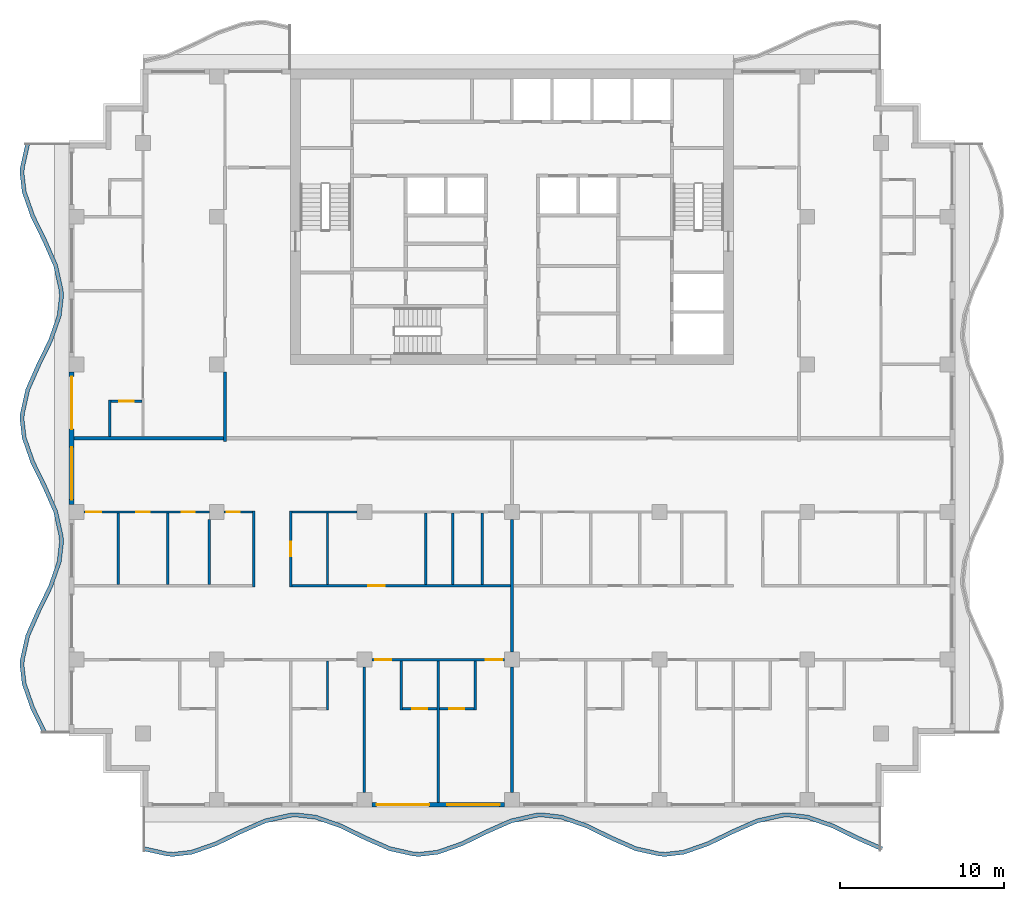
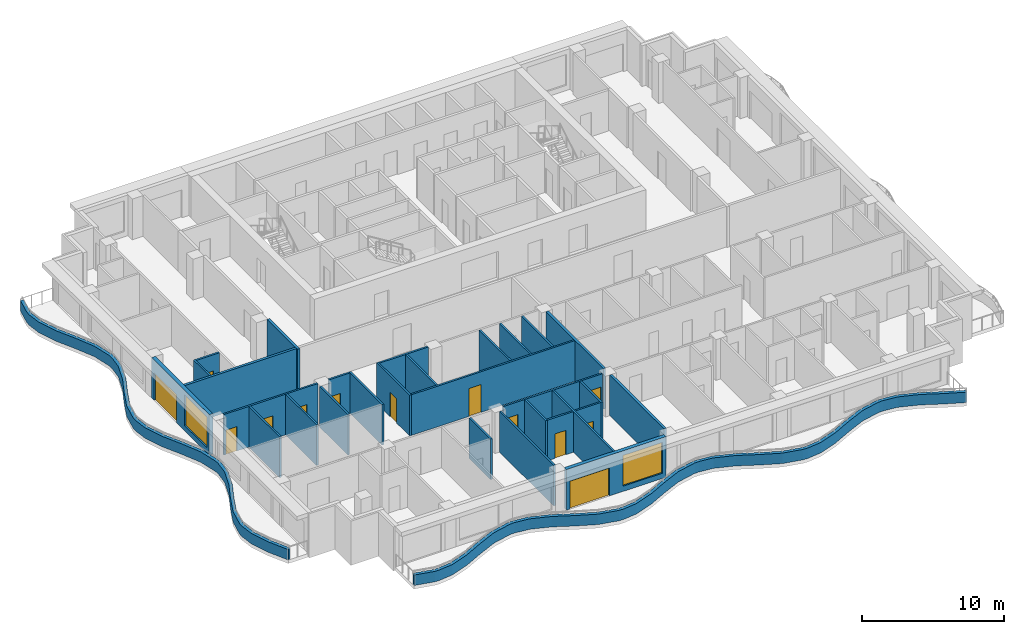
# One storey, part 2 of 11: 31 walls, 13 doors, 2 windows, 15 openings.
"""IFC4 building model written with IfcOpenShell, lengths in metres."""

from ifc_helpers import new_model, si_unit, direction, frame, frame_2d, origin, place, context, subcontext, project, spatial, polyline, rectangle, outline, extrude, material, layer, layer_set, type_object, element, fill, save


model = new_model("IFC4")

# Units and contexts
model_context = context("Model", 3, precision=1e-05, world=origin(), true_north=direction((0.0, 1.0)))
body_context = subcontext(model_context, "Body", "Model", "MODEL_VIEW")
ifc_project = project(units=[si_unit("LENGTHUNIT", "METRE"), si_unit("AREAUNIT", "SQUARE_METRE"), si_unit("VOLUMEUNIT", "CUBIC_METRE"), si_unit("PLANEANGLEUNIT", "RADIAN"), si_unit("MASSUNIT", "GRAM", prefix="KILO")], contexts=[model_context])

# Site, building, storey
site_placement = place(None, origin())
site = spatial("IfcSite", under=ifc_project, at=site_placement, CompositionType="ELEMENT")
building_placement = place(site_placement, origin())
building = spatial("IfcBuilding", under=site, at=building_placement, Name="Orbiselva Terraces", CompositionType="ELEMENT")
storey_placement = place(building_placement, frame((0.0, 0.0, 276.8)))
storey = spatial("IfcBuildingStorey", under=building, at=storey_placement, Name="L70", CompositionType="ELEMENT", Elevation=276.8)

# Walls
ifc_material_1 = material(Name="Concrete C40/50", Category="concrete")
ifc_layer_1 = layer(ifc_material_1, 0.25)
ifc_layer_set_1 = layer_set([ifc_layer_1], Name="Concrete C40/50")
wall_type_1 = type_object("IfcWallType", Name="ENV-PLANTER-250x900", PredefinedType="USERDEFINED", material=ifc_layer_set_1)
wall_1_placement = place(storey_placement, origin())
element("IfcWall", 1, at=wall_1_placement, inside=storey, type_object=wall_type_1, Name="Balcony planter L70 S", ObjectType="PLANTER", PredefinedType="USERDEFINED", context=body_context, shape_type="SweptSolid", body=[
    extrude(outline(polyline([(-22.5, -25.148528), (-21.0, -25.485226), (-20.625, -25.5), (-19.5, -25.369208), (-18.0, -24.844789), (-16.5, -24.112279), (-15.0, -23.451472), (-13.5, -23.114774), (-13.125, -23.1), (-12.0, -23.230792), (-10.5, -23.755211), (-9.0, -24.487721), (-7.5, -25.148528), (-6.0, -25.485226), (-5.625, -25.5), (-4.5, -25.369208), (-3.0, -24.844789), (-1.5, -24.112279), (0.0, -23.451472), (1.5, -23.114774), (1.875, -23.1), (3.0, -23.230792), (4.5, -23.755211), (6.0, -24.487721), (7.5, -25.148528), (9.0, -25.485226), (9.375, -25.5), (10.5, -25.369208), (12.0, -24.844789), (13.5, -24.112279), (15.0, -23.451472), (16.5, -23.114774), (16.875, -23.1), (18.0, -23.230792), (19.5, -23.755211), (21.0, -24.487721), (22.5, -25.148528), (22.600788, -24.919745), (21.105286, -24.260919), (19.59644, -23.524089), (18.056371, -22.985662), (16.884572, -22.849429), (16.467435, -22.865863), (14.921492, -23.212874), (13.394714, -23.885477), (11.90356, -24.613667), (10.443629, -25.124078), (9.365428, -25.249429), (9.032565, -25.236315), (7.578508, -24.90993), (6.105286, -24.260919), (4.59644, -23.524089), (3.056371, -22.985662), (1.884572, -22.849429), (1.467435, -22.865863), (-0.078508, -23.212874), (-1.605286, -23.885477), (-3.09644, -24.613667), (-4.556371, -25.124078), (-5.634572, -25.249429), (-5.967435, -25.236315), (-7.421492, -24.90993), (-8.894714, -24.260919), (-10.40356, -23.524089), (-11.943629, -22.985662), (-13.115428, -22.849429), (-13.532565, -22.865863), (-15.078508, -23.212874), (-16.605286, -23.885477), (-18.09644, -24.613667), (-19.556371, -25.124078), (-20.634572, -25.249429), (-20.967435, -25.236315), (-22.445246, -24.904598), (-22.5, -25.148528)])), origin(), (0.0, 0.0, 1.0), 0.9),
])
wall_2_placement = place(storey_placement, origin())
element("IfcWall", 2, at=wall_2_placement, inside=storey, type_object=wall_type_1, Name="Balcony planter L70 W", ObjectType="PLANTER", PredefinedType="USERDEFINED", context=body_context, shape_type="SweptSolid", body=[
    extrude(outline(polyline([(-29.648528, 18.0), (-29.985226, 16.5), (-30.0, 16.125), (-29.869208, 15.0), (-29.344789, 13.5), (-28.612279, 12.0), (-27.951472, 10.5), (-27.614774, 9.0), (-27.6, 8.625), (-27.730792, 7.5), (-28.255211, 6.0), (-28.987721, 4.5), (-29.648528, 3.0), (-29.985226, 1.5), (-30.0, 1.125), (-29.869208, 0.0), (-29.344789, -1.5), (-28.612279, -3.0), (-27.951472, -4.5), (-27.614774, -6.0), (-27.6, -6.375), (-27.730792, -7.5), (-28.255211, -9.0), (-28.987721, -10.5), (-29.648528, -12.0), (-29.985226, -13.5), (-30.0, -13.875), (-29.869208, -15.0), (-29.344789, -16.5), (-28.612279, -18.0), (-28.387634, -17.890297), (-29.113667, -16.40356), (-29.624078, -14.943629), (-29.749429, -13.865428), (-29.736315, -13.532565), (-29.40993, -12.078508), (-28.760919, -10.605286), (-28.024089, -9.09644), (-27.485662, -7.556371), (-27.349429, -6.384572), (-27.365863, -5.967435), (-27.712874, -4.421492), (-28.385477, -2.894714), (-29.113667, -1.40356), (-29.624078, 0.056371), (-29.749429, 1.134572), (-29.736315, 1.467435), (-29.40993, 2.921492), (-28.760919, 4.394714), (-28.024089, 5.90356), (-27.485662, 7.443629), (-27.349429, 8.615428), (-27.365863, 9.032565), (-27.712874, 10.578508), (-28.385477, 12.105286), (-29.113667, 13.59644), (-29.624078, 15.056371), (-29.749429, 16.134572), (-29.736315, 16.467435), (-29.404598, 17.945246), (-29.648528, 18.0)])), origin(), (0.0, 0.0, 1.0), 0.9),
])

# Wall, openings, door, window
ifc_material_2 = material(Name="Terracotta cladding on masonry backing", Category="masonry")
ifc_layer_2 = layer(ifc_material_2, 0.3)
ifc_layer_set_2 = layer_set([ifc_layer_2], Name="Terracotta cladding on masonry backing")
wall_type_2 = type_object("IfcWallType", Name="ENV-WALL-TERRACOTTA-300", PredefinedType="SOLIDWALL", material=ifc_layer_set_2)
wall_3_placement = place(storey_placement, frame((-0.45, -22.35, 0.0), z_axis=(0.0, 0.0, 1.0), x_axis=(-1.0, 0.0, 0.0)))
wall_3 = element("IfcWall", 3, at=wall_3_placement, inside=storey, type_object=wall_type_2, Name="Facade wall L70 S", PredefinedType="SOLIDWALL", context=body_context, shape_type="SweptSolid", body=[
    extrude(rectangle(XDim=8.1, YDim=0.3, at=frame_2d((4.05, 0.0))), origin(), (0.0, 0.0, 1.0), 3.5),
])
opening_1_placement = place(wall_3_placement, frame((4.6, 0.0, 0.0)))
opening_1 = element("IfcOpeningElement", 4, at=opening_1_placement, cuts=wall_3, Name="Opening Z5-D-E12", PredefinedType="OPENING", context=body_context, shape_type="SweptSolid", body=[
    extrude(rectangle(XDim=3.2, YDim=2.4, at=frame_2d((1.6, 1.2))), frame((0.0, 0.16, 0.0), z_axis=(0.0, -1.0, 0.0), x_axis=(1.0, 0.0, 0.0)), (0.0, 0.0, 1.0), 0.32),
])
opening_2_placement = place(wall_3_placement, frame((0.3, 0.0, 0.45)))
opening_2 = element("IfcOpeningElement", 5, at=opening_2_placement, cuts=wall_3, Name="Opening WN17", PredefinedType="OPENING", context=body_context, shape_type="SweptSolid", body=[
    extrude(rectangle(XDim=3.2, YDim=2.65, at=frame_2d((1.6, 1.325))), frame((0.0, 0.16, 0.0), z_axis=(0.0, -1.0, 0.0), x_axis=(1.0, 0.0, 0.0)), (0.0, 0.0, 1.0), 0.32),
])
ifc_material_3 = material(Name="Clear low-e glazing in aluminium frame", Category="aluminium")
door_type_1 = type_object("IfcDoorType", Name="BALCONY DOOR 3200 X 2400", OperationType="DOUBLE_DOOR_SLIDING", PredefinedType="DOOR", material=ifc_material_3)
door_1_placement = place(opening_1_placement, origin())
door_1 = element("IfcDoor", 6, at=door_1_placement, inside=storey, type_object=door_type_1, Name="Z5-D-E12", OperationType="SINGLE_SWING_LEFT", OverallHeight=2.4, OverallWidth=3.2, PredefinedType="DOOR", context=body_context, shape_type="SweptSolid", body=[
    extrude(rectangle(XDim=3.2, YDim=2.4, at=frame_2d((1.6, 1.2))), frame((0.0, 0.025, 0.0), z_axis=(0.0, -1.0, 0.0), x_axis=(1.0, 0.0, 0.0)), (0.0, 0.0, 1.0), 0.05),
])
fill(opening_1, door_1)
window_type = type_object("IfcWindowType", Name="WINDOW 3200 X 2650 S450", PartitioningType="TRIPLE_PANEL_VERTICAL", PredefinedType="WINDOW", material=ifc_material_3)
window_1_placement = place(opening_2_placement, origin())
window_1 = element("IfcWindow", 7, at=window_1_placement, inside=storey, type_object=window_type, Name="Window L70 S", OverallHeight=2.65, OverallWidth=3.2, PartitioningType="SINGLE_PANEL", PredefinedType="WINDOW", context=body_context, shape_type="SweptSolid", body=[
    extrude(rectangle(XDim=3.2, YDim=2.65, at=frame_2d((1.6, 1.325))), frame((0.0, 0.03, 0.0), z_axis=(0.0, -1.0, 0.0), x_axis=(1.0, 0.0, 0.0)), (0.0, 0.0, 1.0), 0.06),
])
fill(opening_2, window_1)

wall_4_placement = place(storey_placement, frame((-26.85, -4.05, 0.0), z_axis=(0.0, 0.0, 1.0), x_axis=(0.0, 1.0, 0.0)))
wall_4 = element("IfcWall", 8, at=wall_4_placement, inside=storey, type_object=wall_type_2, Name="Facade wall L70 W", PredefinedType="SOLIDWALL", context=body_context, shape_type="SweptSolid", body=[
    extrude(rectangle(XDim=8.1, YDim=0.3, at=frame_2d((4.05, 0.0))), origin(), (0.0, 0.0, 1.0), 3.5),
])
opening_3_placement = place(wall_4_placement, frame((4.6, 0.0, 0.0)))
opening_3 = element("IfcOpeningElement", 9, at=opening_3_placement, cuts=wall_4, Name="Opening Z5-D-E16", PredefinedType="OPENING", context=body_context, shape_type="SweptSolid", body=[
    extrude(rectangle(XDim=3.2, YDim=2.4, at=frame_2d((1.6, 1.2))), frame((0.0, 0.16, 0.0), z_axis=(0.0, -1.0, 0.0), x_axis=(1.0, 0.0, 0.0)), (0.0, 0.0, 1.0), 0.32),
])
opening_4_placement = place(wall_4_placement, frame((0.3, 0.0, 0.45)))
opening_4 = element("IfcOpeningElement", 10, at=opening_4_placement, cuts=wall_4, Name="Opening WN17", PredefinedType="OPENING", context=body_context, shape_type="SweptSolid", body=[
    extrude(rectangle(XDim=3.2, YDim=2.65, at=frame_2d((1.6, 1.325))), frame((0.0, 0.16, 0.0), z_axis=(0.0, -1.0, 0.0), x_axis=(1.0, 0.0, 0.0)), (0.0, 0.0, 1.0), 0.32),
])
door_2_placement = place(opening_3_placement, origin())
door_2 = element("IfcDoor", 11, at=door_2_placement, inside=storey, type_object=door_type_1, Name="Z5-D-E16", OperationType="SINGLE_SWING_LEFT", OverallHeight=2.4, OverallWidth=3.2, PredefinedType="DOOR", context=body_context, shape_type="SweptSolid", body=[
    extrude(rectangle(XDim=3.2, YDim=2.4, at=frame_2d((1.6, 1.2))), frame((0.0, 0.025, 0.0), z_axis=(0.0, -1.0, 0.0), x_axis=(1.0, 0.0, 0.0)), (0.0, 0.0, 1.0), 0.05),
])
fill(opening_3, door_2)
window_2_placement = place(opening_4_placement, origin())
window_2 = element("IfcWindow", 12, at=window_2_placement, inside=storey, type_object=window_type, Name="Window L70 W", OverallHeight=2.65, OverallWidth=3.2, PartitioningType="SINGLE_PANEL", PredefinedType="WINDOW", context=body_context, shape_type="SweptSolid", body=[
    extrude(rectangle(XDim=3.2, YDim=2.65, at=frame_2d((1.6, 1.325))), frame((0.0, 0.03, 0.0), z_axis=(0.0, -1.0, 0.0), x_axis=(1.0, 0.0, 0.0)), (0.0, 0.0, 1.0), 0.06),
])
fill(opening_4, window_2)

# Wall
ifc_material_4 = material(Name="Plasterboard on steel stud partition", Category="steel")
ifc_layer_3 = layer(ifc_material_4, 0.2)
ifc_layer_set_3 = layer_set([ifc_layer_3], Name="Plasterboard on steel stud partition")
wall_type_3 = type_object("IfcWallType", Name="UNIT-ENTRANCE-WALL-200", PredefinedType="PARTITIONING", material=ifc_layer_set_3)
wall_5_placement = place(storey_placement, frame((-17.5, -0.2, 0.0), z_axis=(0.0, 0.0, 1.0), x_axis=(0.0, 1.0, 0.0)))
element("IfcWall", 13, at=wall_5_placement, inside=storey, type_object=wall_type_3, Name="PARTITION L70-050", PredefinedType="PARTITIONING", context=body_context, shape_type="SweptSolid", body=[
    extrude(rectangle(XDim=4.25, YDim=0.2, at=frame_2d((2.125, 0.0))), origin(), (0.0, 0.0, 1.0), 3.5),
])

# Wall, opening, door
ifc_layer_4 = layer(ifc_material_4, 0.15)
ifc_layer_set_4 = layer_set([ifc_layer_4], Name="Plasterboard on steel stud partition")
wall_type_4 = type_object("IfcWallType", Name="UNIT-PARTITION-150", PredefinedType="PARTITIONING", material=ifc_layer_set_4)
wall_6_placement = place(storey_placement, frame((-6.675, -16.5, 0.0), z_axis=(0.0, 0.0, 1.0), x_axis=(1.0, 0.0, 0.0)))
wall_6 = element("IfcWall", 14, at=wall_6_placement, inside=storey, type_object=wall_type_4, Name="PARTITION L70-003", PredefinedType="PARTITIONING", context=body_context, shape_type="SweptSolid", body=[
    extrude(rectangle(XDim=2.1, YDim=0.15, at=frame_2d((1.05, 0.0))), origin(), (0.0, 0.0, 1.0), 3.5),
])
opening_5_placement = place(wall_6_placement, frame((0.6, 0.0, 0.0)))
opening_5 = element("IfcOpeningElement", 15, at=opening_5_placement, cuts=wall_6, Name="Opening Z5-D-28", PredefinedType="OPENING", context=body_context, shape_type="SweptSolid", body=[
    extrude(rectangle(XDim=0.9, YDim=2.1, at=frame_2d((0.45, 1.05))), frame((0.0, 0.085, 0.0), z_axis=(0.0, -1.0, 0.0), x_axis=(1.0, 0.0, 0.0)), (0.0, 0.0, 1.0), 0.17),
])
ifc_material_5 = material(Name="Painted timber door leaf", Category="wood")
door_type_2 = type_object("IfcDoorType", Name="BATH DOOR 900", OperationType="NOTDEFINED", PredefinedType="DOOR", material=ifc_material_5)
door_3_placement = place(opening_5_placement, origin())
door_3 = element("IfcDoor", 16, at=door_3_placement, inside=storey, type_object=door_type_2, Name="Z5-D-28", OperationType="SINGLE_SWING_LEFT", OverallHeight=2.1, OverallWidth=0.9, PredefinedType="DOOR", context=body_context, shape_type="SweptSolid", body=[
    extrude(rectangle(XDim=0.9, YDim=2.1, at=frame_2d((0.45, 1.05))), frame((0.0, 0.025, 0.0), z_axis=(0.0, -1.0, 0.0), x_axis=(1.0, 0.0, 0.0)), (0.0, 0.0, 1.0), 0.05),
])
fill(opening_5, door_3)

wall_7_placement = place(storey_placement, frame((-4.425, -16.5, 0.0), z_axis=(0.0, 0.0, 1.0), x_axis=(1.0, 0.0, 0.0)))
wall_7 = element("IfcWall", 17, at=wall_7_placement, inside=storey, type_object=wall_type_4, Name="PARTITION L70-004", PredefinedType="PARTITIONING", context=body_context, shape_type="SweptSolid", body=[
    extrude(rectangle(XDim=2.1, YDim=0.15, at=frame_2d((1.05, 0.0))), origin(), (0.0, 0.0, 1.0), 3.5),
])
opening_6_placement = place(wall_7_placement, frame((0.6, 0.0, 0.0)))
opening_6 = element("IfcOpeningElement", 18, at=opening_6_placement, cuts=wall_7, Name="Opening Z5-D-26", PredefinedType="OPENING", context=body_context, shape_type="SweptSolid", body=[
    extrude(rectangle(XDim=0.9, YDim=2.1, at=frame_2d((0.45, 1.05))), frame((0.0, 0.085, 0.0), z_axis=(0.0, -1.0, 0.0), x_axis=(1.0, 0.0, 0.0)), (0.0, 0.0, 1.0), 0.17),
])
door_4_placement = place(opening_6_placement, origin())
door_4 = element("IfcDoor", 19, at=door_4_placement, inside=storey, type_object=door_type_2, Name="Z5-D-26", OperationType="SINGLE_SWING_RIGHT", OverallHeight=2.1, OverallWidth=0.9, PredefinedType="DOOR", context=body_context, shape_type="SweptSolid", body=[
    extrude(rectangle(XDim=0.9, YDim=2.1, at=frame_2d((0.45, 1.05))), frame((0.0, 0.025, 0.0), z_axis=(0.0, -1.0, 0.0), x_axis=(1.0, 0.0, 0.0)), (0.0, 0.0, 1.0), 0.05),
])
fill(opening_6, door_4)

# Wall, openings, doors
wall_8_placement = place(storey_placement, frame((-0.45, -13.5, 0.0), z_axis=(0.0, 0.0, 1.0), x_axis=(-1.0, 0.0, 0.0)))
wall_8 = element("IfcWall", 20, at=wall_8_placement, inside=storey, type_object=wall_type_4, Name="PARTITION L70-011", PredefinedType="PARTITIONING", context=body_context, shape_type="SweptSolid", body=[
    extrude(rectangle(XDim=8.1, YDim=0.15, at=frame_2d((4.05, 0.0))), origin(), (0.0, 0.0, 1.0), 3.5),
])
opening_7_placement = place(wall_8_placement, frame((0.15, 0.0, 0.0)))
opening_7 = element("IfcOpeningElement", 21, at=opening_7_placement, cuts=wall_8, Name="Opening Z5-D-25", PredefinedType="OPENING", context=body_context, shape_type="SweptSolid", body=[
    extrude(rectangle(XDim=1.0, YDim=2.4, at=frame_2d((0.5, 1.2))), frame((0.0, 0.085, 0.0), z_axis=(0.0, -1.0, 0.0), x_axis=(1.0, 0.0, 0.0)), (0.0, 0.0, 1.0), 0.17),
])
opening_8_placement = place(wall_8_placement, frame((6.9, 0.0, 0.0)))
opening_8 = element("IfcOpeningElement", 22, at=opening_8_placement, cuts=wall_8, Name="Opening Z5-D-27", PredefinedType="OPENING", context=body_context, shape_type="SweptSolid", body=[
    extrude(rectangle(XDim=1.0, YDim=2.4, at=frame_2d((0.5, 1.2))), frame((0.0, 0.085, 0.0), z_axis=(0.0, -1.0, 0.0), x_axis=(1.0, 0.0, 0.0)), (0.0, 0.0, 1.0), 0.17),
])
door_type_3 = type_object("IfcDoorType", Name="ROOM DOOR 1000", OperationType="NOTDEFINED", PredefinedType="DOOR", material=ifc_material_5)
door_5_placement = place(opening_7_placement, origin())
door_5 = element("IfcDoor", 23, at=door_5_placement, inside=storey, type_object=door_type_3, Name="Z5-D-25", OperationType="SINGLE_SWING_LEFT", OverallHeight=2.4, OverallWidth=1.0, PredefinedType="DOOR", context=body_context, shape_type="SweptSolid", body=[
    extrude(rectangle(XDim=1.0, YDim=2.4, at=frame_2d((0.5, 1.2))), frame((0.0, 0.025, 0.0), z_axis=(0.0, -1.0, 0.0), x_axis=(1.0, 0.0, 0.0)), (0.0, 0.0, 1.0), 0.05),
])
fill(opening_7, door_5)
door_6_placement = place(opening_8_placement, origin())
door_6 = element("IfcDoor", 24, at=door_6_placement, inside=storey, type_object=door_type_3, Name="Z5-D-27", OperationType="SINGLE_SWING_RIGHT", OverallHeight=2.4, OverallWidth=1.0, PredefinedType="DOOR", context=body_context, shape_type="SweptSolid", body=[
    extrude(rectangle(XDim=1.0, YDim=2.4, at=frame_2d((0.5, 1.2))), frame((0.0, 0.025, 0.0), z_axis=(0.0, -1.0, 0.0), x_axis=(1.0, 0.0, 0.0)), (0.0, 0.0, 1.0), 0.05),
])
fill(opening_8, door_6)

# Wall, opening, door
wall_9_placement = place(storey_placement, frame((-13.425, -9.0, 0.0), z_axis=(0.0, 0.0, 1.0), x_axis=(1.0, 0.0, 0.0)))
wall_9 = element("IfcWall", 25, at=wall_9_placement, inside=storey, type_object=wall_type_4, Name="PARTITION L70-016", PredefinedType="PARTITIONING", context=body_context, shape_type="SweptSolid", body=[
    extrude(rectangle(XDim=13.325, YDim=0.15, at=frame_2d((6.6625, 0.0))), origin(), (0.0, 0.0, 1.0), 3.5),
])
opening_9_placement = place(wall_9_placement, frame((4.675, 0.0, 0.0)))
opening_9 = element("IfcOpeningElement", 26, at=opening_9_placement, cuts=wall_9, Name="Opening Z5-D-19", PredefinedType="OPENING", context=body_context, shape_type="SweptSolid", body=[
    extrude(rectangle(XDim=1.0, YDim=2.4, at=frame_2d((0.5, 1.2))), frame((0.0, 0.085, 0.0), z_axis=(0.0, -1.0, 0.0), x_axis=(1.0, 0.0, 0.0)), (0.0, 0.0, 1.0), 0.17),
])
door_7_placement = place(opening_9_placement, origin())
door_7 = element("IfcDoor", 27, at=door_7_placement, inside=storey, type_object=door_type_3, Name="Z5-D-19", OperationType="SINGLE_SWING_LEFT", OverallHeight=2.4, OverallWidth=1.0, PredefinedType="DOOR", context=body_context, shape_type="SweptSolid", body=[
    extrude(rectangle(XDim=1.0, YDim=2.4, at=frame_2d((0.5, 1.2))), frame((0.0, 0.025, 0.0), z_axis=(0.0, -1.0, 0.0), x_axis=(1.0, 0.0, 0.0)), (0.0, 0.0, 1.0), 0.05),
])
fill(opening_9, door_7)

# Wall, openings, doors
wall_10_placement = place(storey_placement, frame((-18.45, -4.5, 0.0), z_axis=(0.0, 0.0, 1.0), x_axis=(-1.0, 0.0, 0.0)))
wall_10 = element("IfcWall", 28, at=wall_10_placement, inside=storey, type_object=wall_type_4, Name="PARTITION L70-019", PredefinedType="PARTITIONING", context=body_context, shape_type="SweptSolid", body=[
    extrude(rectangle(XDim=7.65, YDim=0.15, at=frame_2d((3.825, 0.0))), origin(), (0.0, 0.0, 1.0), 3.5),
])
opening_10_placement = place(wall_10_placement, frame((0.9, 0.0, 0.0)))
opening_10 = element("IfcOpeningElement", 29, at=opening_10_placement, cuts=wall_10, Name="Opening Z5-D-22", PredefinedType="OPENING", context=body_context, shape_type="SweptSolid", body=[
    extrude(rectangle(XDim=0.8, YDim=2.0, at=frame_2d((0.4, 1.0))), frame((0.0, 0.085, 0.0), z_axis=(0.0, -1.0, 0.0), x_axis=(1.0, 0.0, 0.0)), (0.0, 0.0, 1.0), 0.17),
])
opening_11_placement = place(wall_10_placement, frame((3.65, 0.0, 0.0)))
opening_11 = element("IfcOpeningElement", 30, at=opening_11_placement, cuts=wall_10, Name="Opening Z5-D-23", PredefinedType="OPENING", context=body_context, shape_type="SweptSolid", body=[
    extrude(rectangle(XDim=0.8, YDim=2.0, at=frame_2d((0.4, 1.0))), frame((0.0, 0.085, 0.0), z_axis=(0.0, -1.0, 0.0), x_axis=(1.0, 0.0, 0.0)), (0.0, 0.0, 1.0), 0.17),
])
opening_12_placement = place(wall_10_placement, frame((6.6, 0.0, 0.0)))
opening_12 = element("IfcOpeningElement", 31, at=opening_12_placement, cuts=wall_10, Name="Opening Z5-D-24", PredefinedType="OPENING", context=body_context, shape_type="SweptSolid", body=[
    extrude(rectangle(XDim=0.9, YDim=2.1, at=frame_2d((0.45, 1.05))), frame((0.0, 0.085, 0.0), z_axis=(0.0, -1.0, 0.0), x_axis=(1.0, 0.0, 0.0)), (0.0, 0.0, 1.0), 0.17),
])
door_type_4 = type_object("IfcDoorType", Name="SERVICE DOOR 900", OperationType="NOTDEFINED", PredefinedType="DOOR", material=ifc_material_5)
door_8_placement = place(opening_12_placement, origin())
door_8 = element("IfcDoor", 32, at=door_8_placement, inside=storey, type_object=door_type_4, Name="Z5-D-24", OperationType="SINGLE_SWING_RIGHT", OverallHeight=2.1, OverallWidth=0.9, PredefinedType="DOOR", context=body_context, shape_type="SweptSolid", body=[
    extrude(rectangle(XDim=0.9, YDim=2.1, at=frame_2d((0.45, 1.05))), frame((0.0, 0.025, 0.0), z_axis=(0.0, -1.0, 0.0), x_axis=(1.0, 0.0, 0.0)), (0.0, 0.0, 1.0), 0.05),
])
fill(opening_12, door_8)
door_type_5 = type_object("IfcDoorType", Name="STORE DOOR 800", OperationType="NOTDEFINED", PredefinedType="DOOR", material=ifc_material_5)
door_9_placement = place(opening_10_placement, origin())
door_9 = element("IfcDoor", 33, at=door_9_placement, inside=storey, type_object=door_type_5, Name="Z5-D-22", OperationType="SINGLE_SWING_LEFT", OverallHeight=2.0, OverallWidth=0.8, PredefinedType="DOOR", context=body_context, shape_type="SweptSolid", body=[
    extrude(rectangle(XDim=0.8, YDim=2.0, at=frame_2d((0.4, 1.0))), frame((0.0, 0.025, 0.0), z_axis=(0.0, -1.0, 0.0), x_axis=(1.0, 0.0, 0.0)), (0.0, 0.0, 1.0), 0.05),
])
fill(opening_10, door_9)
door_10_placement = place(opening_11_placement, origin())
door_10 = element("IfcDoor", 34, at=door_10_placement, inside=storey, type_object=door_type_5, Name="Z5-D-23", OperationType="SINGLE_SWING_RIGHT", OverallHeight=2.0, OverallWidth=0.8, PredefinedType="DOOR", context=body_context, shape_type="SweptSolid", body=[
    extrude(rectangle(XDim=0.8, YDim=2.0, at=frame_2d((0.4, 1.0))), frame((0.0, 0.025, 0.0), z_axis=(0.0, -1.0, 0.0), x_axis=(1.0, 0.0, 0.0)), (0.0, 0.0, 1.0), 0.05),
])
fill(opening_11, door_10)

# Wall, opening, door
wall_11_placement = place(storey_placement, frame((-15.825, -4.5, 0.0), z_axis=(0.0, 0.0, 1.0), x_axis=(-1.0, 0.0, 0.0)))
wall_11 = element("IfcWall", 35, at=wall_11_placement, inside=storey, type_object=wall_type_4, Name="PARTITION L70-020", PredefinedType="PARTITIONING", context=body_context, shape_type="SweptSolid", body=[
    extrude(rectangle(XDim=1.725, YDim=0.15, at=frame_2d((0.8625, 0.0))), origin(), (0.0, 0.0, 1.0), 3.5),
])
opening_13_placement = place(wall_11_placement, frame((0.775, 0.0, 0.0)))
opening_13 = element("IfcOpeningElement", 36, at=opening_13_placement, cuts=wall_11, Name="Opening Z5-D-21", PredefinedType="OPENING", context=body_context, shape_type="SweptSolid", body=[
    extrude(rectangle(XDim=0.8, YDim=2.0, at=frame_2d((0.4, 1.0))), frame((0.0, 0.085, 0.0), z_axis=(0.0, -1.0, 0.0), x_axis=(1.0, 0.0, 0.0)), (0.0, 0.0, 1.0), 0.17),
])
door_11_placement = place(opening_13_placement, origin())
door_11 = element("IfcDoor", 37, at=door_11_placement, inside=storey, type_object=door_type_5, Name="Z5-D-21", OperationType="SINGLE_SWING_RIGHT", OverallHeight=2.0, OverallWidth=0.8, PredefinedType="DOOR", context=body_context, shape_type="SweptSolid", body=[
    extrude(rectangle(XDim=0.8, YDim=2.0, at=frame_2d((0.4, 1.0))), frame((0.0, 0.025, 0.0), z_axis=(0.0, -1.0, 0.0), x_axis=(1.0, 0.0, 0.0)), (0.0, 0.0, 1.0), 0.05),
])
fill(opening_13, door_11)

# Wall
wall_12_placement = place(storey_placement, frame((-13.425, -4.5, 0.0), z_axis=(0.0, 0.0, 1.0), x_axis=(1.0, 0.0, 0.0)))
element("IfcWall", 38, at=wall_12_placement, inside=storey, type_object=wall_type_4, Name="PARTITION L70-021", PredefinedType="PARTITIONING", context=body_context, shape_type="SweptSolid", body=[
    extrude(rectangle(XDim=3.975, YDim=0.15, at=frame_2d((1.9875, 0.0))), origin(), (0.0, 0.0, 1.0), 3.5),
])

# Wall, opening, door
wall_13_placement = place(storey_placement, frame((-22.575, 2.25, 0.0), z_axis=(0.0, 0.0, 1.0), x_axis=(-1.0, 0.0, 0.0)))
wall_13 = element("IfcWall", 39, at=wall_13_placement, inside=storey, type_object=wall_type_4, Name="PARTITION L70-030", PredefinedType="PARTITIONING", context=body_context, shape_type="SweptSolid", body=[
    extrude(rectangle(XDim=1.875, YDim=0.15, at=frame_2d((0.9375, 0.0))), origin(), (0.0, 0.0, 1.0), 3.5),
])
opening_14_placement = place(wall_13_placement, frame((0.475, 0.0, 0.0)))
opening_14 = element("IfcOpeningElement", 40, at=opening_14_placement, cuts=wall_13, Name="Opening Z5-D-05", PredefinedType="OPENING", context=body_context, shape_type="SweptSolid", body=[
    extrude(rectangle(XDim=0.9, YDim=2.1, at=frame_2d((0.45, 1.05))), frame((0.0, 0.085, 0.0), z_axis=(0.0, -1.0, 0.0), x_axis=(1.0, 0.0, 0.0)), (0.0, 0.0, 1.0), 0.17),
])
door_12_placement = place(opening_14_placement, origin())
door_12 = element("IfcDoor", 41, at=door_12_placement, inside=storey, type_object=door_type_2, Name="Z5-D-05", OperationType="SINGLE_SWING_LEFT", OverallHeight=2.1, OverallWidth=0.9, PredefinedType="DOOR", context=body_context, shape_type="SweptSolid", body=[
    extrude(rectangle(XDim=0.9, YDim=2.1, at=frame_2d((0.45, 1.05))), frame((0.0, 0.025, 0.0), z_axis=(0.0, -1.0, 0.0), x_axis=(1.0, 0.0, 0.0)), (0.0, 0.0, 1.0), 0.05),
])
fill(opening_14, door_12)

# Walls
wall_14_placement = place(storey_placement, frame((-24.525, 0.1, 0.0), z_axis=(0.0, 0.0, 1.0), x_axis=(0.0, 1.0, 0.0)))
element("IfcWall", 42, at=wall_14_placement, inside=storey, type_object=wall_type_4, Name="PARTITION L70-041", PredefinedType="PARTITIONING", context=body_context, shape_type="SweptSolid", body=[
    extrude(rectangle(XDim=2.225, YDim=0.15, at=frame_2d((1.1125, 0.0))), origin(), (0.0, 0.0, 1.0), 3.5),
])
for number, where, z_axis, x_axis, name in (
    (43, (-24.0, -8.925, 0.0), (0.0, 0.0, 1.0), (0.0, 1.0, 0.0), "PARTITION L70-043"),
    (44, (-21.0, -8.925, 0.0), (0.0, 0.0, 1.0), (0.0, 1.0, 0.0), "PARTITION L70-046"),
):
    element("IfcWall", number, at=place(storey_placement, frame(where, z_axis=z_axis, x_axis=x_axis)), inside=storey, type_object=wall_type_4, Name=name, PredefinedType="PARTITIONING", context=body_context, shape_type="SweptSolid", body=[
        extrude(rectangle(XDim=4.35, YDim=0.15, at=frame_2d((2.175, 0.0))), origin(), (0.0, 0.0, 1.0), 3.5),
    ])
wall_15_placement = place(storey_placement, frame((-18.45, -8.925, 0.0), z_axis=(0.0, 0.0, 1.0), x_axis=(0.0, 1.0, 0.0)))
element("IfcWall", 45, at=wall_15_placement, inside=storey, type_object=wall_type_4, Name="PARTITION L70-048", PredefinedType="PARTITIONING", context=body_context, shape_type="SweptSolid", body=[
    extrude(rectangle(XDim=3.975, YDim=0.15, at=frame_2d((1.9875, 0.0))), origin(), (0.0, 0.0, 1.0), 3.5),
])
wall_16_placement = place(storey_placement, frame((-15.75, -9.075, 0.0), z_axis=(0.0, 0.0, 1.0), x_axis=(0.0, 1.0, 0.0)))
element("IfcWall", 46, at=wall_16_placement, inside=storey, type_object=wall_type_4, Name="PARTITION L70-054", PredefinedType="PARTITIONING", context=body_context, shape_type="SweptSolid", body=[
    extrude(rectangle(XDim=4.65, YDim=0.15, at=frame_2d((2.325, 0.0))), origin(), (0.0, 0.0, 1.0), 3.5),
])

# Wall, opening, door
wall_17_placement = place(storey_placement, frame((-13.5, -4.425, 0.0), z_axis=(0.0, 0.0, 1.0), x_axis=(0.0, -1.0, 0.0)))
wall_17 = element("IfcWall", 47, at=wall_17_placement, inside=storey, type_object=wall_type_4, Name="PARTITION L70-056", PredefinedType="PARTITIONING", context=body_context, shape_type="SweptSolid", body=[
    extrude(rectangle(XDim=4.65, YDim=0.15, at=frame_2d((2.325, 0.0))), origin(), (0.0, 0.0, 1.0), 3.5),
])
opening_15_placement = place(wall_17_placement, frame((1.875, 0.0, 0.0)))
opening_15 = element("IfcOpeningElement", 48, at=opening_15_placement, cuts=wall_17, Name="Opening Z5-D-20", PredefinedType="OPENING", context=body_context, shape_type="SweptSolid", body=[
    extrude(rectangle(XDim=0.9, YDim=2.1, at=frame_2d((0.45, 1.05))), frame((0.0, 0.085, 0.0), z_axis=(0.0, -1.0, 0.0), x_axis=(1.0, 0.0, 0.0)), (0.0, 0.0, 1.0), 0.17),
])
door_13_placement = place(opening_15_placement, origin())
door_13 = element("IfcDoor", 49, at=door_13_placement, inside=storey, type_object=door_type_2, Name="Z5-D-20", OperationType="SINGLE_SWING_RIGHT", OverallHeight=2.1, OverallWidth=0.9, PredefinedType="DOOR", context=body_context, shape_type="SweptSolid", body=[
    extrude(rectangle(XDim=0.9, YDim=2.1, at=frame_2d((0.45, 1.05))), frame((0.0, 0.025, 0.0), z_axis=(0.0, -1.0, 0.0), x_axis=(1.0, 0.0, 0.0)), (0.0, 0.0, 1.0), 0.05),
])
fill(opening_15, door_13)

# Walls
wall_18_placement = place(storey_placement, frame((-11.25, -16.575, 0.0), z_axis=(0.0, 0.0, 1.0), x_axis=(0.0, 1.0, 0.0)))
element("IfcWall", 50, at=wall_18_placement, inside=storey, type_object=wall_type_4, Name="PARTITION L70-057", PredefinedType="PARTITIONING", context=body_context, shape_type="SweptSolid", body=[
    extrude(rectangle(XDim=3.0, YDim=0.15, at=frame_2d((1.5, 0.0))), origin(), (0.0, 0.0, 1.0), 3.5),
])
wall_19_placement = place(storey_placement, frame((-11.25, -8.925, 0.0), z_axis=(0.0, 0.0, 1.0), x_axis=(0.0, 1.0, 0.0)))
element("IfcWall", 51, at=wall_19_placement, inside=storey, type_object=wall_type_4, Name="PARTITION L70-058", PredefinedType="PARTITIONING", context=body_context, shape_type="SweptSolid", body=[
    extrude(rectangle(XDim=4.35, YDim=0.15, at=frame_2d((2.175, 0.0))), origin(), (0.0, 0.0, 1.0), 3.5),
])
wall_20_placement = place(storey_placement, frame((-9.0, -21.6, 0.0), z_axis=(0.0, 0.0, 1.0), x_axis=(0.0, 1.0, 0.0)))
element("IfcWall", 52, at=wall_20_placement, inside=storey, type_object=wall_type_4, Name="PARTITION L70-059", PredefinedType="PARTITIONING", context=body_context, shape_type="SweptSolid", body=[
    extrude(rectangle(XDim=7.65, YDim=0.15, at=frame_2d((3.825, 0.0))), origin(), (0.0, 0.0, 1.0), 3.5),
])
wall_21_placement = place(storey_placement, frame((-6.75, -16.575, 0.0), z_axis=(0.0, 0.0, 1.0), x_axis=(0.0, 1.0, 0.0)))
element("IfcWall", 53, at=wall_21_placement, inside=storey, type_object=wall_type_4, Name="PARTITION L70-060", PredefinedType="PARTITIONING", context=body_context, shape_type="SweptSolid", body=[
    extrude(rectangle(XDim=3.0, YDim=0.15, at=frame_2d((1.5, 0.0))), origin(), (0.0, 0.0, 1.0), 3.5),
])
wall_22_placement = place(storey_placement, frame((-5.25, -8.925, 0.0), z_axis=(0.0, 0.0, 1.0), x_axis=(0.0, 1.0, 0.0)))
element("IfcWall", 54, at=wall_22_placement, inside=storey, type_object=wall_type_4, Name="PARTITION L70-061", PredefinedType="PARTITIONING", context=body_context, shape_type="SweptSolid", body=[
    extrude(rectangle(XDim=4.35, YDim=0.15, at=frame_2d((2.175, 0.0))), origin(), (0.0, 0.0, 1.0), 3.5),
])
wall_23_placement = place(storey_placement, frame((-4.5, -22.2, 0.0), z_axis=(0.0, 0.0, 1.0), x_axis=(0.0, 1.0, 0.0)))
element("IfcWall", 55, at=wall_23_placement, inside=storey, type_object=wall_type_4, Name="PARTITION L70-062", PredefinedType="PARTITIONING", context=body_context, shape_type="SweptSolid", body=[
    extrude(rectangle(XDim=8.625, YDim=0.15, at=frame_2d((4.3125, 0.0))), origin(), (0.0, 0.0, 1.0), 3.5),
])
wall_24_placement = place(storey_placement, frame((-3.6, -8.925, 0.0), z_axis=(0.0, 0.0, 1.0), x_axis=(0.0, 1.0, 0.0)))
element("IfcWall", 56, at=wall_24_placement, inside=storey, type_object=wall_type_4, Name="PARTITION L70-063", PredefinedType="PARTITIONING", context=body_context, shape_type="SweptSolid", body=[
    extrude(rectangle(XDim=4.35, YDim=0.15, at=frame_2d((2.175, 0.0))), origin(), (0.0, 0.0, 1.0), 3.5),
])
wall_25_placement = place(storey_placement, frame((-2.25, -16.575, 0.0), z_axis=(0.0, 0.0, 1.0), x_axis=(0.0, 1.0, 0.0)))
element("IfcWall", 57, at=wall_25_placement, inside=storey, type_object=wall_type_4, Name="PARTITION L70-064", PredefinedType="PARTITIONING", context=body_context, shape_type="SweptSolid", body=[
    extrude(rectangle(XDim=3.0, YDim=0.15, at=frame_2d((1.5, 0.0))), origin(), (0.0, 0.0, 1.0), 3.5),
])
wall_26_placement = place(storey_placement, frame((-1.8, -8.925, 0.0), z_axis=(0.0, 0.0, 1.0), x_axis=(0.0, 1.0, 0.0)))
element("IfcWall", 58, at=wall_26_placement, inside=storey, type_object=wall_type_4, Name="PARTITION L70-065", PredefinedType="PARTITIONING", context=body_context, shape_type="SweptSolid", body=[
    extrude(rectangle(XDim=4.35, YDim=0.15, at=frame_2d((2.175, 0.0))), origin(), (0.0, 0.0, 1.0), 3.5),
])
ifc_layer_5 = layer(ifc_material_4, 0.2)
ifc_layer_set_5 = layer_set([ifc_layer_5], Name="Plasterboard on steel stud partition")
wall_type_5 = type_object("IfcWallType", Name="UNIT-PARTY-WALL-200", PredefinedType="PARTITIONING", material=ifc_layer_set_5)
wall_27_placement = place(storey_placement, frame((-26.7, 0.0, 0.0), z_axis=(0.0, 0.0, 1.0), x_axis=(1.0, 0.0, 0.0)))
element("IfcWall", 59, at=wall_27_placement, inside=storey, type_object=wall_type_5, Name="PARTITION L70-028", PredefinedType="PARTITIONING", context=body_context, shape_type="SweptSolid", body=[
    extrude(rectangle(XDim=9.1, YDim=0.2, at=frame_2d((4.55, 0.0))), origin(), (0.0, 0.0, 1.0), 3.5),
])
wall_28_placement = place(storey_placement, frame((0.0, -21.6, 0.0), z_axis=(0.0, 0.0, 1.0), x_axis=(0.0, 1.0, 0.0)))
element("IfcWall", 60, at=wall_28_placement, inside=storey, type_object=wall_type_5, Name="PARTITION L70-066", PredefinedType="PARTITIONING", context=body_context, shape_type="SweptSolid", body=[
    extrude(rectangle(XDim=7.65, YDim=0.2, at=frame_2d((3.825, 0.0))), origin(), (0.0, 0.0, 1.0), 3.5),
])
wall_29_placement = place(storey_placement, frame((0.0, -13.05, 0.0), z_axis=(0.0, 0.0, 1.0), x_axis=(0.0, 1.0, 0.0)))
element("IfcWall", 61, at=wall_29_placement, inside=storey, type_object=wall_type_5, Name="PARTITION L70-067", PredefinedType="PARTITIONING", context=body_context, shape_type="SweptSolid", body=[
    extrude(rectangle(XDim=8.1, YDim=0.2, at=frame_2d((4.05, 0.0))), origin(), (0.0, 0.0, 1.0), 3.5),
])

save(model, "model.ifc")
